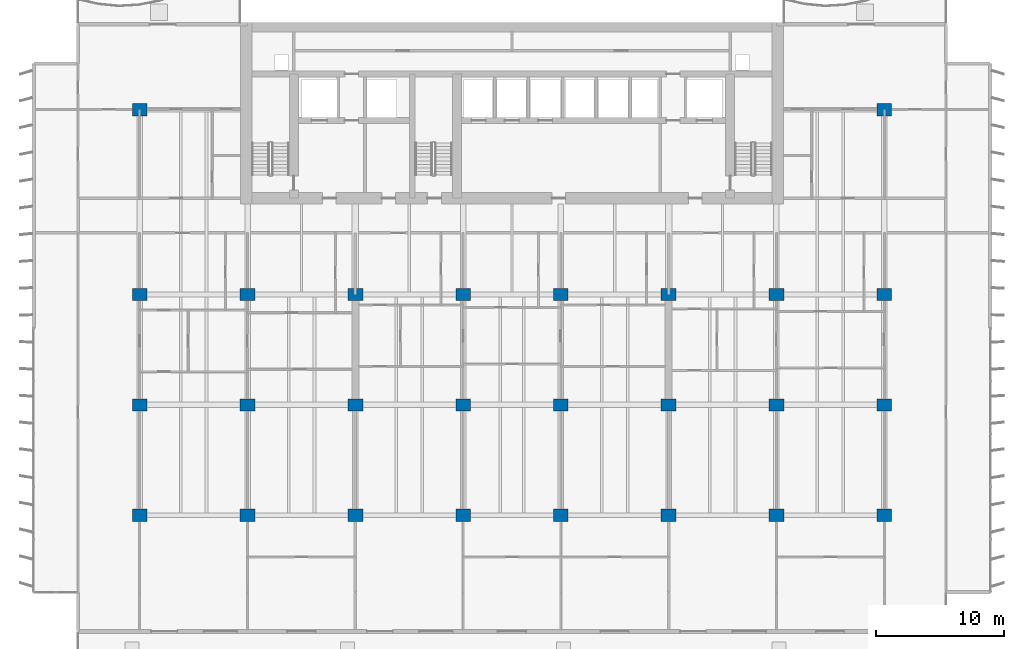
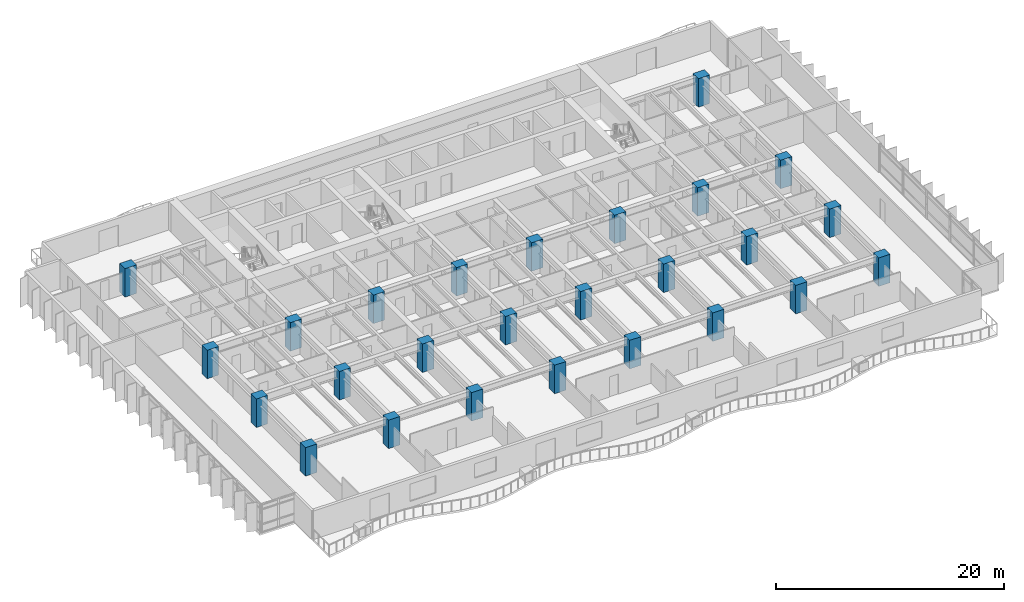
# One storey, part 1 of 16: 26 columns.
"""IFC4 building model written with IfcOpenShell, lengths in metres."""

from ifc_helpers import new_model, si_unit, direction, frame, origin, origin_2d, place, context, subcontext, project, spatial, rectangle, extrude, material, material_profile, profile_set, type_object, element, save


model = new_model("IFC4")

# Units and contexts
model_context = context("Model", 3, precision=1e-05, world=origin(), true_north=direction((0.0, 1.0)))
body_context = subcontext(model_context, "Body", "Model", "MODEL_VIEW")
ifc_project = project(units=[si_unit("LENGTHUNIT", "METRE"), si_unit("AREAUNIT", "SQUARE_METRE"), si_unit("VOLUMEUNIT", "CUBIC_METRE"), si_unit("PLANEANGLEUNIT", "RADIAN"), si_unit("MASSUNIT", "GRAM", prefix="KILO")], contexts=[model_context])

# Site, building, storey
site_placement = place(None, origin())
site = spatial("IfcSite", under=ifc_project, at=site_placement, CompositionType="ELEMENT")
building_placement = place(site_placement, origin())
building = spatial("IfcBuilding", under=site, at=building_placement, Name="Caelmar Bay Residences", CompositionType="ELEMENT")
storey_placement = place(building_placement, frame((0.0, 0.0, 72.89990234375)))
storey = spatial("IfcBuildingStorey", under=building, at=storey_placement, Name="L19", CompositionType="ELEMENT", Elevation=72.89990234375)

# Columns
ifc_material = material(Name="Concrete f'c 70 MPa (10,000 psi)", Category="concrete")
ifc_material_profile = material_profile(ifc_material, rectangle(XDim=1.14990234375, YDim=0.949951171875, at=origin_2d()), Name="RC-COL-1150X950")
ifc_profile_set = profile_set([ifc_material_profile], Name="Concrete f'c 70 MPa (10,000 psi)")
column_type = type_object("IfcColumnType", Name="COL-RC-1150X950", PredefinedType="COLUMN", material=ifc_profile_set)
for number, where, z_axis, x_axis, name in (
    (1, (9.89990234375, 12.199951171875, 0.0), (0.0, 0.0, 1.0), (1.0, 0.0, 0.0), "L19 Column (9.90,12.20)"),
    (2, (18.300048828125, 12.199951171875, 0.0), (0.0, 0.0, 1.0), (1.0, 0.0, 0.0), "L19 Column (18.30,12.20)"),
    (3, (26.699951171875, 12.199951171875, 0.0), (0.0, 0.0, 1.0), (1.0, 0.0, 0.0), "L19 Column (26.70,12.20)"),
    (4, (35.10009765625, 12.199951171875, 0.0), (0.0, 0.0, 1.0), (1.0, 0.0, 0.0), "L19 Column (35.10,12.20)"),
    (5, (42.699951171875, 12.199951171875, 0.0), (0.0, 0.0, 1.0), (1.0, 0.0, 0.0), "L19 Column (42.70,12.20)"),
    (6, (51.10009765625, 12.199951171875, 0.0), (0.0, 0.0, 1.0), (1.0, 0.0, 0.0), "L19 Column (51.10,12.20)"),
    (7, (59.5, 12.199951171875, 0.0), (0.0, 0.0, 1.0), (1.0, 0.0, 0.0), "L19 Column (59.50,12.20)"),
    (8, (67.89990234375, 12.199951171875, 0.0), (0.0, 0.0, 1.0), (1.0, 0.0, 0.0), "L19 Column (67.90,12.20)"),
    (9, (9.89990234375, 20.800048828125, 0.0), (0.0, 0.0, 1.0), (1.0, 0.0, 0.0), "L19 Column (9.90,20.80)"),
    (10, (18.300048828125, 20.800048828125, 0.0), (0.0, 0.0, 1.0), (1.0, 0.0, 0.0), "L19 Column (18.30,20.80)"),
    (11, (26.699951171875, 20.800048828125, 0.0), (0.0, 0.0, 1.0), (1.0, 0.0, 0.0), "L19 Column (26.70,20.80)"),
    (12, (35.10009765625, 20.800048828125, 0.0), (0.0, 0.0, 1.0), (1.0, 0.0, 0.0), "L19 Column (35.10,20.80)"),
    (13, (42.699951171875, 20.800048828125, 0.0), (0.0, 0.0, 1.0), (1.0, 0.0, 0.0), "L19 Column (42.70,20.80)"),
    (14, (51.10009765625, 20.800048828125, 0.0), (0.0, 0.0, 1.0), (1.0, 0.0, 0.0), "L19 Column (51.10,20.80)"),
    (15, (59.5, 20.800048828125, 0.0), (0.0, 0.0, 1.0), (1.0, 0.0, 0.0), "L19 Column (59.50,20.80)"),
    (16, (67.89990234375, 20.800048828125, 0.0), (0.0, 0.0, 1.0), (1.0, 0.0, 0.0), "L19 Column (67.90,20.80)"),
    (17, (9.89990234375, 29.39990234375, 0.0), (0.0, 0.0, 1.0), (1.0, 0.0, 0.0), "L19 Column (9.90,29.40)"),
    (18, (18.300048828125, 29.39990234375, 0.0), (0.0, 0.0, 1.0), (1.0, 0.0, 0.0), "L19 Column (18.30,29.40)"),
    (19, (26.699951171875, 29.39990234375, 0.0), (0.0, 0.0, 1.0), (1.0, 0.0, 0.0), "L19 Column (26.70,29.40)"),
    (20, (35.10009765625, 29.39990234375, 0.0), (0.0, 0.0, 1.0), (1.0, 0.0, 0.0), "L19 Column (35.10,29.40)"),
    (21, (42.699951171875, 29.39990234375, 0.0), (0.0, 0.0, 1.0), (1.0, 0.0, 0.0), "L19 Column (42.70,29.40)"),
    (22, (51.10009765625, 29.39990234375, 0.0), (0.0, 0.0, 1.0), (1.0, 0.0, 0.0), "L19 Column (51.10,29.40)"),
    (23, (59.5, 29.39990234375, 0.0), (0.0, 0.0, 1.0), (1.0, 0.0, 0.0), "L19 Column (59.50,29.40)"),
    (24, (67.89990234375, 29.39990234375, 0.0), (0.0, 0.0, 1.0), (1.0, 0.0, 0.0), "L19 Column (67.90,29.40)"),
    (25, (9.89990234375, 43.800048828125, 0.0), (0.0, 0.0, 1.0), (1.0, 0.0, 0.0), "L19 Column (9.90,43.80)"),
    (26, (67.89990234375, 43.800048828125, 0.0), (0.0, 0.0, 1.0), (1.0, 0.0, 0.0), "L19 Column (67.90,43.80)"),
):
    element("IfcColumn", number, at=place(storey_placement, frame(where, z_axis=z_axis, x_axis=x_axis)), inside=storey, type_object=column_type, Name=name, PredefinedType="COLUMN", context=body_context, shape_type="SweptSolid", body=[
        extrude(rectangle(XDim=1.14990234375, YDim=0.949951171875, at=origin_2d()), origin(), (0.0, 0.0, 1.0), 3.050048828125),
    ])

save(model, "model.ifc")
